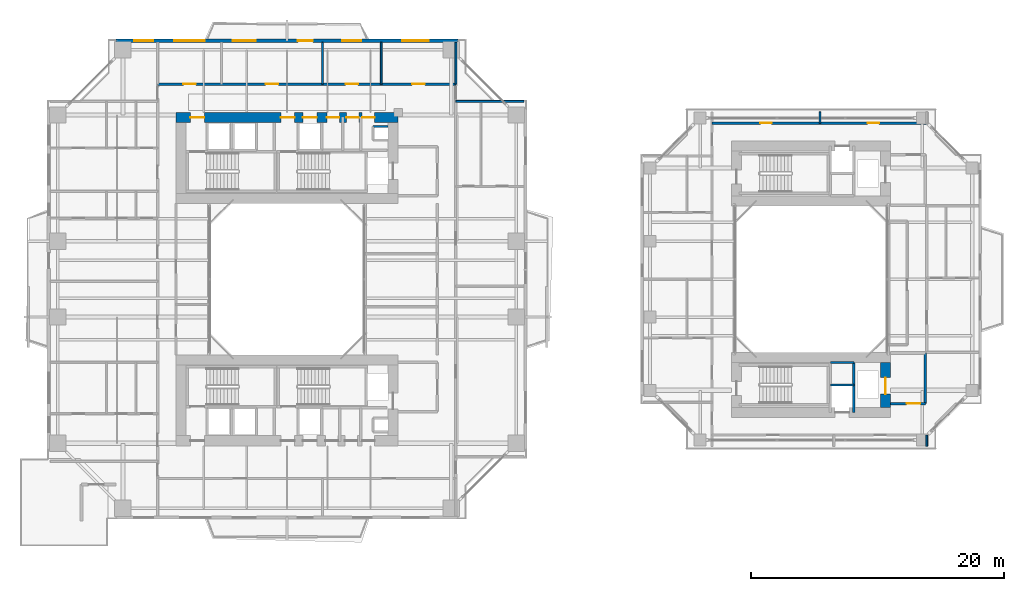
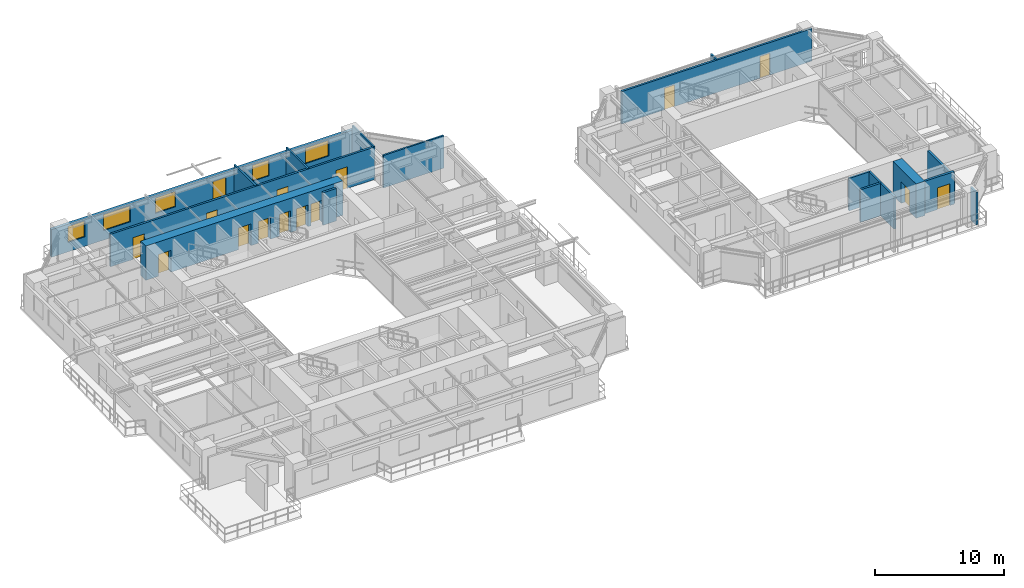
# One storey, part 17 of 24: 17 walls, 15 doors, 5 windows, 20 openings.
"""IFC4 building model written with IfcOpenShell, lengths in metres."""

from ifc_helpers import new_model, si_unit, direction, frame, frame_2d, origin, place, context, subcontext, project, spatial, rectangle, extrude, source, transform, mapped, material, layer, layer_set, type_object, element, fill, save


model = new_model("IFC4")

# Units and contexts
model_context = context("Model", 3, precision=1e-05, world=origin(), true_north=direction((0.0, 1.0)))
body_context = subcontext(model_context, "Body", "Model", "MODEL_VIEW")
ifc_project = project(units=[si_unit("LENGTHUNIT", "METRE"), si_unit("AREAUNIT", "SQUARE_METRE"), si_unit("VOLUMEUNIT", "CUBIC_METRE"), si_unit("PLANEANGLEUNIT", "RADIAN"), si_unit("MASSUNIT", "GRAM", prefix="KILO"), si_unit("THERMODYNAMICTEMPERATUREUNIT", "KELVIN"), si_unit("POWERUNIT", "WATT")], contexts=[model_context])

# Site, building, storey
site_placement = place(None, origin())
site = spatial("IfcSite", under=ifc_project, at=site_placement, CompositionType="ELEMENT")
building_placement = place(site_placement, origin())
building = spatial("IfcBuilding", under=site, at=building_placement, Name="Qiaomeng Ring Towers", CompositionType="ELEMENT")
storey_placement = place(building_placement, frame((0.0, 0.0, 63.25)))
storey = spatial("IfcBuildingStorey", under=building, at=storey_placement, Name="L17", CompositionType="ELEMENT", Elevation=63.25)

# Wall, openings, windows, door
ifc_material_1 = material(Name="Precast concrete C40", Category="concrete")
ifc_layer_1 = layer(ifc_material_1, 0.25, Name="Precast concrete C40")
ifc_layer_set_1 = layer_set([ifc_layer_1], Name="Precast concrete C40")
wall_type_1 = type_object("IfcWallType", Name="ARC-WL-EW1", PredefinedType="STANDARD", material=ifc_layer_set_1)
wall_1_placement = place(storey_placement, frame((5.449951171875, 41.875, 0.0), z_axis=(0.0, 0.0, 1.0), x_axis=(1.0, 0.0, 0.0)))
wall_1 = element("IfcWall", 1, at=wall_1_placement, inside=storey, type_object=wall_type_1, Name="L17 Tower 1 N Exterior Wall", PredefinedType="STANDARD", context=body_context, shape_type="SweptSolid", body=[
    extrude(rectangle(XDim=27.10009765625, YDim=0.25, at=frame_2d((13.550048828125, 0.0))), origin(), (0.0, 0.0, 1.0), 2.610107421875),
])
opening_1_placement = place(wall_1_placement, frame((14.39990234375, 0.0, 0.0)))
opening_1 = element("IfcOpeningElement", 2, at=opening_1_placement, cuts=wall_1, Name="Opening BD1", PredefinedType="OPENING", context=body_context, shape_type="SweptSolid", body=[
    extrude(rectangle(XDim=1.199951171875, YDim=2.10009765625, at=frame_2d((0.60009765625, 1.050048828125))), frame((0.0, 0.135009765625, 0.0), z_axis=(0.0, -1.0, 0.0), x_axis=(1.0, 0.0, 0.0)), (0.0, 0.0, 1.0), 0.27001953125),
])
opening_2_placement = place(wall_1_placement, frame((1.465087890625, 0.0, 0.89990234375)))
opening_2 = element("IfcOpeningElement", 3, at=opening_2_placement, cuts=wall_1, Name="Opening WN2", PredefinedType="OPENING", context=body_context, shape_type="SweptSolid", body=[
    extrude(rectangle(XDim=1.5, YDim=1.5, at=frame_2d((0.75, 0.75))), frame((0.0, 0.135009765625, 0.0), z_axis=(0.0, -1.0, 0.0), x_axis=(1.0, 0.0, 0.0)), (0.0, 0.0, 1.0), 0.27001953125),
])
opening_3_placement = place(wall_1_placement, frame((9.262939453125, 0.0, 0.89990234375)))
opening_3 = element("IfcOpeningElement", 4, at=opening_3_placement, cuts=wall_1, Name="Opening WN1", PredefinedType="OPENING", context=body_context, shape_type="SweptSolid", body=[
    extrude(rectangle(XDim=1.800048828125, YDim=1.449951171875, at=frame_2d((0.89990234375, 0.72509765625))), frame((0.0, 0.135009765625, 0.0), z_axis=(0.0, -1.0, 0.0), x_axis=(1.0, 0.0, 0.0)), (0.0, 0.0, 1.0), 0.27001953125),
])
opening_4_placement = place(wall_1_placement, frame((17.929931640625, 0.0, 0.89990234375)))
opening_4 = element("IfcOpeningElement", 5, at=opening_4_placement, cuts=wall_1, Name="Opening WN2", PredefinedType="OPENING", context=body_context, shape_type="SweptSolid", body=[
    extrude(rectangle(XDim=1.5, YDim=1.5, at=frame_2d((0.75, 0.75))), frame((0.0, 0.135009765625, 0.0), z_axis=(0.0, -1.0, 0.0), x_axis=(1.0, 0.0, 0.0)), (0.0, 0.0, 1.0), 0.27001953125),
])
opening_5_placement = place(wall_1_placement, frame((22.6630859375, 0.0, 0.89990234375)))
opening_5 = element("IfcOpeningElement", 6, at=opening_5_placement, cuts=wall_1, Name="Opening WN4", PredefinedType="OPENING", context=body_context, shape_type="SweptSolid", body=[
    extrude(rectangle(XDim=2.10009765625, YDim=1.47998046875, at=frame_2d((1.050048828125, 0.739990234375))), frame((0.0, 0.135009765625, 0.0), z_axis=(0.0, -1.0, 0.0), x_axis=(1.0, 0.0, 0.0)), (0.0, 0.0, 1.0), 0.27001953125),
])
opening_6_placement = place(wall_1_placement, frame((4.6298828125, 0.0, 0.89990234375)))
opening_6 = element("IfcOpeningElement", 7, at=opening_6_placement, cuts=wall_1, Name="Opening WN6", PredefinedType="OPENING", context=body_context, shape_type="SweptSolid", body=[
    extrude(rectangle(XDim=2.39990234375, YDim=1.5, at=frame_2d((1.199951171875, 0.75))), frame((0.0, 0.135009765625, 0.0), z_axis=(0.0, -1.0, 0.0), x_axis=(1.0, 0.0, 0.0)), (0.0, 0.0, 1.0), 0.27001953125),
])
ifc_material_2 = material(Name="Low-E dark-grey laminated double glazing", Category="glass")
window_type_1 = type_object("IfcWindowType", Name="ARC-WN-4", PartitioningType="TRIPLE_PANEL_VERTICAL", PredefinedType="WINDOW", material=ifc_material_2)
shared_shape_1 = source(origin(), body_context, "Body", "SweptSolid", [
    extrude(rectangle(XDim=2.10009765625, YDim=1.47998046875, at=frame_2d((1.050048828125, 0.739990234375))), frame((0.0, 0.030029296875, 0.0), z_axis=(0.0, -1.0, 0.0), x_axis=(1.0, 0.0, 0.0)), (0.0, 0.0, 1.0), 0.06005859375),
])
window_1_placement = place(opening_5_placement, origin())
window_1 = element("IfcWindow", 8, at=window_1_placement, inside=storey, type_object=window_type_1, Name="L17 Exterior Window WN4", OverallHeight=1.47998046875, OverallWidth=2.10009765625, PartitioningType="TRIPLE_PANEL_VERTICAL", PredefinedType="WINDOW", context=body_context, shape_type="MappedRepresentation", body=[
    mapped(shared_shape_1, transform((0.0, 0.0, 0.0), x_axis=(1.0, 0.0, 0.0), y_axis=(0.0, 1.0, 0.0), z_axis=(0.0, 0.0, 1.0), scale=1.0)),
])
fill(opening_5, window_1)
window_type_2 = type_object("IfcWindowType", Name="ARC-WN-1", PartitioningType="DOUBLE_PANEL_VERTICAL", PredefinedType="WINDOW", material=ifc_material_2)
shared_shape_2 = source(origin(), body_context, "Body", "SweptSolid", [
    extrude(rectangle(XDim=1.800048828125, YDim=1.449951171875, at=frame_2d((0.89990234375, 0.72509765625))), frame((0.0, 0.030029296875, 0.0), z_axis=(0.0, -1.0, 0.0), x_axis=(1.0, 0.0, 0.0)), (0.0, 0.0, 1.0), 0.06005859375),
])
window_2_placement = place(opening_3_placement, origin())
window_2 = element("IfcWindow", 9, at=window_2_placement, inside=storey, type_object=window_type_2, Name="L17 Exterior Window WN1", OverallHeight=1.449951171875, OverallWidth=1.800048828125, PartitioningType="DOUBLE_PANEL_VERTICAL", PredefinedType="WINDOW", context=body_context, shape_type="MappedRepresentation", body=[
    mapped(shared_shape_2, transform((0.0, 0.0, 0.0), x_axis=(1.0, 0.0, 0.0), y_axis=(0.0, 1.0, 0.0), z_axis=(0.0, 0.0, 1.0), scale=1.0)),
])
fill(opening_3, window_2)
door_type_1 = type_object("IfcDoorType", Name="ARC-DR-BD1", OperationType="NOTDEFINED", PredefinedType="DOOR", material=ifc_material_2)
shared_shape_3 = source(origin(), body_context, "Body", "SweptSolid", [
    extrude(rectangle(XDim=1.199951171875, YDim=2.10009765625, at=frame_2d((0.60009765625, 1.050048828125))), frame((0.0, 0.02490234375, 0.0), z_axis=(0.0, -1.0, 0.0), x_axis=(1.0, 0.0, 0.0)), (0.0, 0.0, 1.0), 0.050048828125),
])
door_1_placement = place(opening_1_placement, origin())
door_1 = element("IfcDoor", 10, at=door_1_placement, inside=storey, type_object=door_type_1, Name="L17 N Balcony Glazed Door", OperationType="SINGLE_SWING_LEFT", OverallHeight=2.10009765625, OverallWidth=1.199951171875, PredefinedType="DOOR", context=body_context, shape_type="MappedRepresentation", body=[
    mapped(shared_shape_3, transform((0.0, 0.0, 0.0), x_axis=(1.0, 0.0, 0.0), y_axis=(0.0, 1.0, 0.0), z_axis=(0.0, 0.0, 1.0), scale=1.0)),
])
fill(opening_1, door_1)
window_type_3 = type_object("IfcWindowType", Name="ARC-WN-2", PartitioningType="DOUBLE_PANEL_VERTICAL", PredefinedType="WINDOW", material=ifc_material_2)
shared_shape_4 = source(origin(), body_context, "Body", "SweptSolid", [
    extrude(rectangle(XDim=1.5, YDim=1.5, at=frame_2d((0.75, 0.75))), frame((0.0, 0.030029296875, 0.0), z_axis=(0.0, -1.0, 0.0), x_axis=(1.0, 0.0, 0.0)), (0.0, 0.0, 1.0), 0.06005859375),
])
window_3_placement = place(opening_2_placement, origin())
window_3 = element("IfcWindow", 11, at=window_3_placement, inside=storey, type_object=window_type_3, Name="L17 Exterior Window WN6", OverallHeight=1.5, OverallWidth=1.5, PartitioningType="TRIPLE_PANEL_VERTICAL", PredefinedType="WINDOW", context=body_context, shape_type="MappedRepresentation", body=[
    mapped(shared_shape_4, transform((0.0, 0.0, 0.0), x_axis=(1.0, 0.0, 0.0), y_axis=(0.0, 1.0, 0.0), z_axis=(0.0, 0.0, 1.0), scale=1.0)),
])
fill(opening_2, window_3)
window_4_placement = place(opening_4_placement, origin())
window_4 = element("IfcWindow", 12, at=window_4_placement, inside=storey, type_object=window_type_3, Name="L17 Exterior Window WN2", OverallHeight=1.5, OverallWidth=1.5, PartitioningType="DOUBLE_PANEL_VERTICAL", PredefinedType="WINDOW", context=body_context, shape_type="MappedRepresentation", body=[
    mapped(shared_shape_4, transform((0.0, 0.0, 0.0), x_axis=(1.0, 0.0, 0.0), y_axis=(0.0, 1.0, 0.0), z_axis=(0.0, 0.0, 1.0), scale=1.0)),
])
fill(opening_4, window_4)
window_type_4 = type_object("IfcWindowType", Name="ARC-WN-6", PartitioningType="TRIPLE_PANEL_VERTICAL", PredefinedType="WINDOW", material=ifc_material_2)
shared_shape_5 = source(origin(), body_context, "Body", "SweptSolid", [
    extrude(rectangle(XDim=2.39990234375, YDim=1.5, at=frame_2d((1.199951171875, 0.75))), frame((0.0, 0.030029296875, 0.0), z_axis=(0.0, -1.0, 0.0), x_axis=(1.0, 0.0, 0.0)), (0.0, 0.0, 1.0), 0.06005859375),
])
window_5_placement = place(opening_6_placement, origin())
window_5 = element("IfcWindow", 13, at=window_5_placement, inside=storey, type_object=window_type_4, Name="L17 Exterior Window WN6", OverallHeight=1.5, OverallWidth=2.39990234375, PartitioningType="TRIPLE_PANEL_VERTICAL", PredefinedType="WINDOW", context=body_context, shape_type="MappedRepresentation", body=[
    mapped(shared_shape_5, transform((0.0, 0.0, 0.0), x_axis=(1.0, 0.0, 0.0), y_axis=(0.0, 1.0, 0.0), z_axis=(0.0, 0.0, 1.0), scale=1.0)),
])
fill(opening_6, window_5)

# Wall
ifc_material_3 = material(Name="Autoclaved aerated concrete block", Category="concrete")
ifc_layer_2 = layer(ifc_material_3, 0.199951171875, Name="Autoclaved aerated concrete block")
ifc_layer_set_2 = layer_set([ifc_layer_2], Name="Autoclaved aerated concrete block")
wall_type_2 = type_object("IfcWallType", Name="ARC-WL-PW1", PredefinedType="PARTITIONING", material=ifc_layer_set_2)
wall_2_placement = place(storey_placement, frame((69.550048828125, 13.14990234375, 0.0), z_axis=(0.0, 0.0, 1.0), x_axis=(0.0, 1.0, 0.0)))
element("IfcWall", 14, at=wall_2_placement, inside=storey, type_object=wall_type_2, Name="L17 Interior Wall PW1", PredefinedType="PARTITIONING", context=body_context, shape_type="SweptSolid", body=[
    extrude(rectangle(XDim=4.0, YDim=0.199951171875, at=frame_2d((2.0, 0.0))), origin(), (0.0, 0.0, 1.0), 2.614990234375),
])

# Wall, opening, door
wall_3_placement = place(storey_placement, frame((66.800048828125, 13.14990234375, 0.0), z_axis=(0.0, 0.0, 1.0), x_axis=(1.0, 0.0, 0.0)))
wall_3 = element("IfcWall", 15, at=wall_3_placement, inside=storey, type_object=wall_type_2, Name="L17 Interior Wall PW1", PredefinedType="PARTITIONING", context=body_context, shape_type="SweptSolid", body=[
    extrude(rectangle(XDim=2.75, YDim=0.199951171875, at=frame_2d((1.375, 0.0))), origin(), (0.0, 0.0, 1.0), 3.070068359375),
])
opening_7_placement = place(wall_3_placement, frame((1.25, 0.0, 0.0)))
opening_7 = element("IfcOpeningElement", 16, at=opening_7_placement, cuts=wall_3, Name="Opening FD3", PredefinedType="OPENING", context=body_context, shape_type="SweptSolid", body=[
    extrude(rectangle(XDim=1.10009765625, YDim=2.050048828125, at=frame_2d((0.550048828125, 1.02490234375))), frame((0.0, 0.10986328125, 0.0), z_axis=(0.0, -1.0, 0.0), x_axis=(1.0, 0.0, 0.0)), (0.0, 0.0, 1.0), 0.219970703125),
])
ifc_material_4 = material(Name="Galvanised steel", Category="steel")
door_type_2 = type_object("IfcDoorType", Name="ARC-DR-FD3", OperationType="NOTDEFINED", PredefinedType="DOOR", material=ifc_material_4)
shared_shape_6 = source(origin(), body_context, "Body", "SweptSolid", [
    extrude(rectangle(XDim=1.10009765625, YDim=2.050048828125, at=frame_2d((0.550048828125, 1.02490234375))), frame((0.0, 0.02490234375, 0.0), z_axis=(0.0, -1.0, 0.0), x_axis=(1.0, 0.0, 0.0)), (0.0, 0.0, 1.0), 0.050048828125),
])
door_2_placement = place(opening_7_placement, origin())
door_2 = element("IfcDoor", 17, at=door_2_placement, inside=storey, type_object=door_type_2, Name="L17 Door FD3", OperationType="SINGLE_SWING_LEFT", OverallHeight=2.050048828125, OverallWidth=1.10009765625, PredefinedType="DOOR", context=body_context, shape_type="MappedRepresentation", body=[
    mapped(shared_shape_6, transform((0.0, 0.0, 0.0), x_axis=(1.0, 0.0, 0.0), y_axis=(0.0, 1.0, 0.0), z_axis=(0.0, 0.0, 1.0), scale=1.0)),
])
fill(opening_7, door_2)

# Wall, openings, doors
ifc_layer_3 = layer(ifc_material_3, 0.179931640625, Name="Autoclaved aerated concrete block")
ifc_layer_set_3 = layer_set([ifc_layer_3], Name="Autoclaved aerated concrete block")
wall_type_3 = type_object("IfcWallType", Name="ARC-WL-PW2", PredefinedType="PARTITIONING", material=ifc_layer_set_3)
wall_4_placement = place(storey_placement, frame((8.75, 38.43994140625, 0.0), z_axis=(0.0, 0.0, 1.0), x_axis=(1.0, 0.0, 0.0)))
wall_4 = element("IfcWall", 18, at=wall_4_placement, inside=storey, type_object=wall_type_3, Name="L17 Interior Wall PW2", PredefinedType="PARTITIONING", context=body_context, shape_type="SweptSolid", body=[
    extrude(rectangle(XDim=23.610107421875, YDim=0.179931640625, at=frame_2d((11.80517578125, 0.0))), origin(), (0.0, 0.0, 1.0), 3.070068359375),
])
opening_8_placement = place(wall_4_placement, frame((2.030029296875, 0.0, 0.0)))
opening_8 = element("IfcOpeningElement", 19, at=opening_8_placement, cuts=wall_4, Name="Opening FD4", PredefinedType="OPENING", context=body_context, shape_type="SweptSolid", body=[
    extrude(rectangle(XDim=1.0, YDim=2.050048828125, at=frame_2d((0.5, 1.02490234375))), frame((0.0, 0.099853515625, 0.0), z_axis=(0.0, -1.0, 0.0), x_axis=(1.0, 0.0, 0.0)), (0.0, 0.0, 1.0), 0.199951171875),
])
opening_9_placement = place(wall_4_placement, frame((8.554931640625, 0.0, 0.0)))
opening_9 = element("IfcOpeningElement", 20, at=opening_9_placement, cuts=wall_4, Name="Opening FD4", PredefinedType="OPENING", context=body_context, shape_type="SweptSolid", body=[
    extrude(rectangle(XDim=1.0, YDim=2.050048828125, at=frame_2d((0.5, 1.02490234375))), frame((0.0, 0.099853515625, 0.0), z_axis=(0.0, -1.0, 0.0), x_axis=(1.0, 0.0, 0.0)), (0.0, 0.0, 1.0), 0.199951171875),
])
opening_10_placement = place(wall_4_placement, frame((14.8798828125, 0.0, 0.0)))
opening_10 = element("IfcOpeningElement", 21, at=opening_10_placement, cuts=wall_4, Name="Opening FD4", PredefinedType="OPENING", context=body_context, shape_type="SweptSolid", body=[
    extrude(rectangle(XDim=1.0, YDim=2.050048828125, at=frame_2d((0.5, 1.02490234375))), frame((0.0, 0.099853515625, 0.0), z_axis=(0.0, -1.0, 0.0), x_axis=(1.0, 0.0, 0.0)), (0.0, 0.0, 1.0), 0.199951171875),
])
opening_11_placement = place(wall_4_placement, frame((20.159912109375, 0.0, 0.0)))
opening_11 = element("IfcOpeningElement", 22, at=opening_11_placement, cuts=wall_4, Name="Opening FD4", PredefinedType="OPENING", context=body_context, shape_type="SweptSolid", body=[
    extrude(rectangle(XDim=1.0, YDim=2.050048828125, at=frame_2d((0.5, 1.02490234375))), frame((0.0, 0.099853515625, 0.0), z_axis=(0.0, -1.0, 0.0), x_axis=(1.0, 0.0, 0.0)), (0.0, 0.0, 1.0), 0.199951171875),
])
ifc_material_5 = material(Name="Engineered fire-rated oak timber", Category="wood")
door_type_3 = type_object("IfcDoorType", Name="ARC-DR-FD4", OperationType="NOTDEFINED", PredefinedType="DOOR", material=ifc_material_5)
shared_shape_7 = source(origin(), body_context, "Body", "SweptSolid", [
    extrude(rectangle(XDim=1.0, YDim=2.050048828125, at=frame_2d((0.5, 1.02490234375))), frame((0.0, 0.02490234375, 0.0), z_axis=(0.0, -1.0, 0.0), x_axis=(1.0, 0.0, 0.0)), (0.0, 0.0, 1.0), 0.050048828125),
])
door_3_placement = place(opening_8_placement, origin())
door_3 = element("IfcDoor", 23, at=door_3_placement, inside=storey, type_object=door_type_3, Name="L17 Door FD4", OperationType="SINGLE_SWING_LEFT", OverallHeight=2.050048828125, OverallWidth=1.0, PredefinedType="DOOR", context=body_context, shape_type="MappedRepresentation", body=[
    mapped(shared_shape_7, transform((0.0, 0.0, 0.0), x_axis=(1.0, 0.0, 0.0), y_axis=(0.0, 1.0, 0.0), z_axis=(0.0, 0.0, 1.0), scale=1.0)),
])
fill(opening_8, door_3)
door_4_placement = place(opening_9_placement, origin())
door_4 = element("IfcDoor", 24, at=door_4_placement, inside=storey, type_object=door_type_3, Name="L17 Door FD4", OperationType="SINGLE_SWING_RIGHT", OverallHeight=2.050048828125, OverallWidth=1.0, PredefinedType="DOOR", context=body_context, shape_type="MappedRepresentation", body=[
    mapped(shared_shape_7, transform((0.0, 0.0, 0.0), x_axis=(1.0, 0.0, 0.0), y_axis=(0.0, 1.0, 0.0), z_axis=(0.0, 0.0, 1.0), scale=1.0)),
])
fill(opening_9, door_4)
door_5_placement = place(opening_10_placement, origin())
door_5 = element("IfcDoor", 25, at=door_5_placement, inside=storey, type_object=door_type_3, Name="L17 Door FD4", OperationType="SINGLE_SWING_LEFT", OverallHeight=2.050048828125, OverallWidth=1.0, PredefinedType="DOOR", context=body_context, shape_type="MappedRepresentation", body=[
    mapped(shared_shape_7, transform((0.0, 0.0, 0.0), x_axis=(1.0, 0.0, 0.0), y_axis=(0.0, 1.0, 0.0), z_axis=(0.0, 0.0, 1.0), scale=1.0)),
])
fill(opening_10, door_5)
door_6_placement = place(opening_11_placement, origin())
door_6 = element("IfcDoor", 26, at=door_6_placement, inside=storey, type_object=door_type_3, Name="L17 Door FD4", OperationType="SINGLE_SWING_RIGHT", OverallHeight=2.050048828125, OverallWidth=1.0, PredefinedType="DOOR", context=body_context, shape_type="MappedRepresentation", body=[
    mapped(shared_shape_7, transform((0.0, 0.0, 0.0), x_axis=(1.0, 0.0, 0.0), y_axis=(0.0, 1.0, 0.0), z_axis=(0.0, 0.0, 1.0), scale=1.0)),
])
fill(opening_11, door_6)

wall_5_placement = place(storey_placement, frame((52.64990234375, 35.35009765625, 0.0), z_axis=(0.0, 0.0, 1.0), x_axis=(1.0, 0.0, 0.0)))
wall_5 = element("IfcWall", 27, at=wall_5_placement, inside=storey, type_object=wall_type_3, Name="L17 Interior Wall PW2", PredefinedType="PARTITIONING", context=body_context, shape_type="SweptSolid", body=[
    extrude(rectangle(XDim=17.0, YDim=0.179931640625, at=frame_2d((8.5, 0.0))), origin(), (0.0, 0.0, 1.0), 3.070068359375),
])
opening_12_placement = place(wall_5_placement, frame((3.824951171875, 0.0, 0.0)))
opening_12 = element("IfcOpeningElement", 28, at=opening_12_placement, cuts=wall_5, Name="Opening ID1", PredefinedType="OPENING", context=body_context, shape_type="SweptSolid", body=[
    extrude(rectangle(XDim=0.89990234375, YDim=2.050048828125, at=frame_2d((0.449951171875, 1.02490234375))), frame((0.0, 0.099853515625, 0.0), z_axis=(0.0, -1.0, 0.0), x_axis=(1.0, 0.0, 0.0)), (0.0, 0.0, 1.0), 0.199951171875),
])
opening_13_placement = place(wall_5_placement, frame((12.324951171875, 0.0, 0.0)))
opening_13 = element("IfcOpeningElement", 29, at=opening_13_placement, cuts=wall_5, Name="Opening ID1", PredefinedType="OPENING", context=body_context, shape_type="SweptSolid", body=[
    extrude(rectangle(XDim=0.89990234375, YDim=2.050048828125, at=frame_2d((0.449951171875, 1.02490234375))), frame((0.0, 0.099853515625, 0.0), z_axis=(0.0, -1.0, 0.0), x_axis=(1.0, 0.0, 0.0)), (0.0, 0.0, 1.0), 0.199951171875),
])
ifc_material_6 = material(Name="Engineered oak timber", Category="wood")
door_type_4 = type_object("IfcDoorType", Name="ARC-DR-ID1", OperationType="NOTDEFINED", PredefinedType="DOOR", material=ifc_material_6)
shared_shape_8 = source(origin(), body_context, "Body", "SweptSolid", [
    extrude(rectangle(XDim=0.89990234375, YDim=2.050048828125, at=frame_2d((0.449951171875, 1.02490234375))), frame((0.0, 0.02490234375, 0.0), z_axis=(0.0, -1.0, 0.0), x_axis=(1.0, 0.0, 0.0)), (0.0, 0.0, 1.0), 0.050048828125),
])
door_7_placement = place(opening_12_placement, origin())
door_7 = element("IfcDoor", 30, at=door_7_placement, inside=storey, type_object=door_type_4, Name="L17 Door ID1", OperationType="SINGLE_SWING_LEFT", OverallHeight=2.050048828125, OverallWidth=0.89990234375, PredefinedType="DOOR", context=body_context, shape_type="MappedRepresentation", body=[
    mapped(shared_shape_8, transform((0.0, 0.0, 0.0), x_axis=(1.0, 0.0, 0.0), y_axis=(0.0, 1.0, 0.0), z_axis=(0.0, 0.0, 1.0), scale=1.0)),
])
fill(opening_12, door_7)
door_8_placement = place(opening_13_placement, origin())
door_8 = element("IfcDoor", 31, at=door_8_placement, inside=storey, type_object=door_type_4, Name="L17 Door ID1", OperationType="SINGLE_SWING_RIGHT", OverallHeight=2.050048828125, OverallWidth=0.89990234375, PredefinedType="DOOR", context=body_context, shape_type="MappedRepresentation", body=[
    mapped(shared_shape_8, transform((0.0, 0.0, 0.0), x_axis=(1.0, 0.0, 0.0), y_axis=(0.0, 1.0, 0.0), z_axis=(0.0, 0.0, 1.0), scale=1.0)),
])
fill(opening_13, door_8)

# Walls
ifc_material_7 = material(Name="Gypsum fireboard steel-stud partition", Category="steel")
ifc_layer_4 = layer(ifc_material_7, 0.14990234375, Name="Gypsum fireboard steel-stud partition")
ifc_layer_set_4 = layer_set([ifc_layer_4], Name="Gypsum fireboard steel-stud partition")
wall_type_4 = type_object("IfcWallType", Name="ARC-WL-PW3", PredefinedType="PARTITIONING", material=ifc_layer_set_4)
for number, where, z_axis, x_axis, name in (
    (32, (21.800048828125, 38.43994140625, 0.0), (0.0, 0.0, 1.0), (0.0, 1.0, 0.0), "L17 Interior Wall PW3"),
    (33, (26.4599609375, 38.43994140625, 0.0), (0.0, 0.0, 1.0), (0.0, 1.0, 0.0), "L17 Interior Wall PW3"),
    (34, (32.360107421875, 38.43994140625, 0.0), (0.0, 0.0, 1.0), (0.0, 1.0, 0.0), "L17 Interior Wall PW3"),
):
    element("IfcWall", number, at=place(storey_placement, frame(where, z_axis=z_axis, x_axis=x_axis)), inside=storey, type_object=wall_type_4, Name=name, PredefinedType="PARTITIONING", context=body_context, shape_type="SweptSolid", body=[
        extrude(rectangle(XDim=3.31005859375, YDim=0.14990234375, at=frame_2d((1.655029296875, 0.0))), origin(), (0.0, 0.0, 1.0), 3.070068359375),
    ])
wall_6_placement = place(storey_placement, frame((32.360107421875, 37.080078125, 0.0), z_axis=(0.0, 0.0, 1.0), x_axis=(1.0, 0.0, 0.0)))
element("IfcWall", 35, at=wall_6_placement, inside=storey, type_object=wall_type_4, Name="L17 Interior Wall PW3", PredefinedType="PARTITIONING", context=body_context, shape_type="SweptSolid", body=[
    extrude(rectangle(XDim=5.389892578125, YDim=0.14990234375, at=frame_2d((2.69482421875, 0.0))), origin(), (0.0, 0.0, 1.0), 3.070068359375),
])
for number, where, z_axis, x_axis, name in (
    (36, (61.199951171875, 35.35009765625, 0.0), (0.0, 0.0, 1.0), (0.0, 1.0, 0.0), "L17 Interior Wall PW3"),
    (37, (69.64990234375, 9.75, 0.0), (0.0, 0.0, 1.0), (0.0, 1.0, 0.0), "L17 Interior Wall PW3"),
):
    element("IfcWall", number, at=place(storey_placement, frame(where, z_axis=z_axis, x_axis=x_axis)), inside=storey, type_object=wall_type_4, Name=name, PredefinedType="PARTITIONING", context=body_context, shape_type="SweptSolid", body=[
        extrude(rectangle(XDim=0.89990234375, YDim=0.14990234375, at=frame_2d((0.449951171875, 0.0))), origin(), (0.0, 0.0, 1.0), 3.070068359375),
    ])
ifc_material_8 = material(Name="Concrete C40", Category="concrete")
ifc_layer_5 = layer(ifc_material_8, 0.199951171875, Name="Concrete C40")
ifc_layer_set_5 = layer_set([ifc_layer_5], Name="Concrete C40")
wall_type_5 = type_object("IfcWallType", Name="STR-WL-STSHAFT", PredefinedType="SHEAR", material=ifc_layer_set_5)
wall_7_placement = place(storey_placement, frame((25.800048828125, 35.080078125, 0.0), z_axis=(0.0, 0.0, 1.0), x_axis=(1.0, 0.0, 0.0)))
element("IfcWall", 38, at=wall_7_placement, inside=storey, type_object=wall_type_5, Name="L17 Riser RSR1 North Shaft Wall N", PredefinedType="SHEAR", context=body_context, shape_type="SweptSolid", body=[
    extrude(rectangle(XDim=1.199951171875, YDim=0.179931640625, at=frame_2d((0.60009765625, 0.0))), origin(), (0.0, 0.0, 1.0), 3.070068359375),
])
wall_8_placement = place(storey_placement, frame((63.8798828125, 12.449951171875, 0.0), z_axis=(0.0, 0.0, 1.0), x_axis=(0.0, 1.0, 0.0)))
element("IfcWall", 39, at=wall_8_placement, inside=storey, type_object=wall_type_5, Name="L17 Companion Lift Shaft East Wall S", PredefinedType="SHEAR", context=body_context, shape_type="SweptSolid", body=[
    extrude(rectangle(XDim=3.949951171875, YDim=0.179931640625, at=frame_2d((1.97509765625, 0.0))), origin(), (0.0, 0.0, 1.0), 3.070068359375),
])
for number, where, z_axis, x_axis, name in (
    (40, (62.02001953125, 14.6201171875, 0.0), (0.0, 0.0, 1.0), (1.0, 0.0, 0.0), "L17 Companion Lift Shaft Divider Wall S"),
    (41, (62.02001953125, 16.39990234375, 0.0), (0.0, 0.0, 1.0), (1.0, 0.0, 0.0), "L17 Companion Riser Shaft Back Wall S"),
):
    element("IfcWall", number, at=place(storey_placement, frame(where, z_axis=z_axis, x_axis=x_axis)), inside=storey, type_object=wall_type_5, Name=name, PredefinedType="SHEAR", context=body_context, shape_type="SweptSolid", body=[
        extrude(rectangle(XDim=1.85986328125, YDim=0.179931640625, at=frame_2d((0.929931640625, 0.0))), origin(), (0.0, 0.0, 1.0), 3.070068359375),
    ])

# Wall, openings, doors
ifc_material_9 = material(Name="Concrete C60", Category="concrete")
ifc_layer_6 = layer(ifc_material_9, 0.800048828125, Name="Concrete C60")
ifc_layer_set_6 = layer_set([ifc_layer_6], Name="Concrete C60")
wall_type_6 = type_object("IfcWallType", Name="STR-WL-SW1", PredefinedType="SHEAR", material=ifc_layer_set_6)
wall_9_placement = place(storey_placement, frame((10.199951171875, 35.800048828125, 0.0), z_axis=(0.0, 0.0, 1.0), x_axis=(1.0, 0.0, 0.0)))
wall_9 = element("IfcWall", 42, at=wall_9_placement, inside=storey, type_object=wall_type_6, Name="L17 T1NC north core shear wall", PredefinedType="SHEAR", context=body_context, shape_type="SweptSolid", body=[
    extrude(rectangle(XDim=17.60009765625, YDim=0.800048828125, at=frame_2d((8.800048828125, 0.0))), origin(), (0.0, 0.0, 1.0), 3.25),
])
opening_14_placement = place(wall_9_placement, frame((1.14990234375, 0.0, 0.0)))
opening_14 = element("IfcOpeningElement", 43, at=opening_14_placement, cuts=wall_9, Name="Opening FD3", PredefinedType="OPENING", context=body_context, shape_type="SweptSolid", body=[
    extrude(rectangle(XDim=1.10009765625, YDim=2.050048828125, at=frame_2d((0.550048828125, 1.02490234375))), frame((0.0, 0.409912109375, 0.0), z_axis=(0.0, -1.0, 0.0), x_axis=(1.0, 0.0, 0.0)), (0.0, 0.0, 1.0), 0.820068359375),
])
opening_15_placement = place(wall_9_placement, frame((8.300048828125, 0.0, 0.0)))
opening_15 = element("IfcOpeningElement", 44, at=opening_15_placement, cuts=wall_9, Name="Opening FD3", PredefinedType="OPENING", context=body_context, shape_type="SweptSolid", body=[
    extrude(rectangle(XDim=1.10009765625, YDim=2.050048828125, at=frame_2d((0.550048828125, 1.02490234375))), frame((0.0, 0.409912109375, 0.0), z_axis=(0.0, -1.0, 0.0), x_axis=(1.0, 0.0, 0.0)), (0.0, 0.0, 1.0), 0.820068359375),
])
opening_16_placement = place(wall_9_placement, frame((10.050048828125, 0.0, 0.0)))
opening_16 = element("IfcOpeningElement", 45, at=opening_16_placement, cuts=wall_9, Name="Opening LD1", PredefinedType="OPENING", context=body_context, shape_type="SweptSolid", body=[
    extrude(rectangle(XDim=1.10009765625, YDim=2.050048828125, at=frame_2d((0.550048828125, 1.02490234375))), frame((0.0, 0.409912109375, 0.0), z_axis=(0.0, -1.0, 0.0), x_axis=(1.0, 0.0, 0.0)), (0.0, 0.0, 1.0), 0.820068359375),
])
opening_17_placement = place(wall_9_placement, frame((14.739990234375, 0.0, 0.0)))
opening_17 = element("IfcOpeningElement", 46, at=opening_17_placement, cuts=wall_9, Name="Opening FD1", PredefinedType="OPENING", context=body_context, shape_type="SweptSolid", body=[
    extrude(rectangle(XDim=1.0, YDim=2.050048828125, at=frame_2d((0.5, 1.02490234375))), frame((0.0, 0.409912109375, 0.0), z_axis=(0.0, -1.0, 0.0), x_axis=(1.0, 0.0, 0.0)), (0.0, 0.0, 1.0), 0.820068359375),
])
opening_18_placement = place(wall_9_placement, frame((11.949951171875, 0.0, 0.0)))
opening_18 = element("IfcOpeningElement", 47, at=opening_18_placement, cuts=wall_9, Name="Opening FD1", PredefinedType="OPENING", context=body_context, shape_type="SweptSolid", body=[
    extrude(rectangle(XDim=1.0, YDim=2.050048828125, at=frame_2d((0.5, 1.02490234375))), frame((0.0, 0.409912109375, 0.0), z_axis=(0.0, -1.0, 0.0), x_axis=(1.0, 0.0, 0.0)), (0.0, 0.0, 1.0), 0.820068359375),
])
opening_19_placement = place(wall_9_placement, frame((13.485107421875, 0.0, 0.0)))
opening_19 = element("IfcOpeningElement", 48, at=opening_19_placement, cuts=wall_9, Name="Opening FD1", PredefinedType="OPENING", context=body_context, shape_type="SweptSolid", body=[
    extrude(rectangle(XDim=1.0, YDim=2.050048828125, at=frame_2d((0.5, 1.02490234375))), frame((0.0, 0.409912109375, 0.0), z_axis=(0.0, -1.0, 0.0), x_axis=(1.0, 0.0, 0.0)), (0.0, 0.0, 1.0), 0.820068359375),
])
door_9_placement = place(opening_14_placement, origin())
door_9 = element("IfcDoor", 49, at=door_9_placement, inside=storey, type_object=door_type_2, Name="L17 Stair ST1 Lobby Door", OperationType="SINGLE_SWING_LEFT", OverallHeight=2.050048828125, OverallWidth=1.10009765625, PredefinedType="DOOR", context=body_context, shape_type="MappedRepresentation", body=[
    mapped(shared_shape_6, transform((0.0, 0.0, 0.0), x_axis=(1.0, 0.0, 0.0), y_axis=(0.0, 1.0, 0.0), z_axis=(0.0, 0.0, 1.0), scale=1.0)),
])
fill(opening_14, door_9)
door_10_placement = place(opening_15_placement, origin())
door_10 = element("IfcDoor", 50, at=door_10_placement, inside=storey, type_object=door_type_2, Name="L17 Stair ST2 Lobby Door", OperationType="SINGLE_SWING_LEFT", OverallHeight=2.050048828125, OverallWidth=1.10009765625, PredefinedType="DOOR", context=body_context, shape_type="MappedRepresentation", body=[
    mapped(shared_shape_6, transform((0.0, 0.0, 0.0), x_axis=(1.0, 0.0, 0.0), y_axis=(0.0, 1.0, 0.0), z_axis=(0.0, 0.0, 1.0), scale=1.0)),
])
fill(opening_15, door_10)
ifc_material_10 = material(Name="Stainless steel 316", Category="steel")
door_type_5 = type_object("IfcDoorType", Name="ARC-DR-LD1", OperationType="NOTDEFINED", PredefinedType="DOOR", material=ifc_material_10)
door_11_placement = place(opening_16_placement, origin())
door_11 = element("IfcDoor", 51, at=door_11_placement, inside=storey, type_object=door_type_5, Name="L17 Low-Zone Lift LP1 Landing Door", OperationType="SLIDING_TO_LEFT", OverallHeight=2.050048828125, OverallWidth=1.10009765625, PredefinedType="DOOR", context=body_context, shape_type="MappedRepresentation", body=[
    mapped(shared_shape_6, transform((0.0, 0.0, 0.0), x_axis=(1.0, 0.0, 0.0), y_axis=(0.0, 1.0, 0.0), z_axis=(0.0, 0.0, 1.0), scale=1.0)),
])
fill(opening_16, door_11)
door_type_6 = type_object("IfcDoorType", Name="ARC-DR-FD1", OperationType="NOTDEFINED", PredefinedType="DOOR", material=ifc_material_4)
door_12_placement = place(opening_17_placement, origin())
door_12 = element("IfcDoor", 52, at=door_12_placement, inside=storey, type_object=door_type_6, Name="L17 North Electrical Riser Door", OperationType="SINGLE_SWING_LEFT", OverallHeight=2.050048828125, OverallWidth=1.0, PredefinedType="DOOR", context=body_context, shape_type="MappedRepresentation", body=[
    mapped(shared_shape_7, transform((0.0, 0.0, 0.0), x_axis=(1.0, 0.0, 0.0), y_axis=(0.0, 1.0, 0.0), z_axis=(0.0, 0.0, 1.0), scale=1.0)),
])
fill(opening_17, door_12)
door_13_placement = place(opening_18_placement, origin())
door_13 = element("IfcDoor", 53, at=door_13_placement, inside=storey, type_object=door_type_6, Name="L17 North Tea Pantry Door", OperationType="SINGLE_SWING_LEFT", OverallHeight=2.050048828125, OverallWidth=1.0, PredefinedType="DOOR", context=body_context, shape_type="MappedRepresentation", body=[
    mapped(shared_shape_7, transform((0.0, 0.0, 0.0), x_axis=(1.0, 0.0, 0.0), y_axis=(0.0, 1.0, 0.0), z_axis=(0.0, 0.0, 1.0), scale=1.0)),
])
fill(opening_18, door_13)
door_14_placement = place(opening_19_placement, origin())
door_14 = element("IfcDoor", 54, at=door_14_placement, inside=storey, type_object=door_type_6, Name="L17 North Cleaners Cupboard Door", OperationType="SINGLE_SWING_RIGHT", OverallHeight=2.050048828125, OverallWidth=1.0, PredefinedType="DOOR", context=body_context, shape_type="MappedRepresentation", body=[
    mapped(shared_shape_7, transform((0.0, 0.0, 0.0), x_axis=(1.0, 0.0, 0.0), y_axis=(0.0, 1.0, 0.0), z_axis=(0.0, 0.0, 1.0), scale=1.0)),
])
fill(opening_19, door_14)

# Wall, opening, door
wall_10_placement = place(storey_placement, frame((66.39990234375, 12.85009765625, 0.0), z_axis=(0.0, 0.0, 1.0), x_axis=(0.0, 1.0, 0.0)))
wall_10 = element("IfcWall", 55, at=wall_10_placement, inside=storey, type_object=wall_type_6, Name="L17 T2SC east core shear wall", PredefinedType="SHEAR", context=body_context, shape_type="SweptSolid", body=[
    extrude(rectangle(XDim=3.5498046875, YDim=0.800048828125, at=frame_2d((1.77490234375, 0.0))), origin(), (0.0, 0.0, 1.0), 3.25),
])
opening_20_placement = place(wall_10_placement, frame((1.050048828125, 0.0, 0.0)))
opening_20 = element("IfcOpeningElement", 56, at=opening_20_placement, cuts=wall_10, Name="Opening LD2", PredefinedType="OPENING", context=body_context, shape_type="SweptSolid", body=[
    extrude(rectangle(XDim=1.300048828125, YDim=2.050048828125, at=frame_2d((0.64990234375, 1.02490234375))), frame((0.0, 0.409912109375, 0.0), z_axis=(0.0, -1.0, 0.0), x_axis=(1.0, 0.0, 0.0)), (0.0, 0.0, 1.0), 0.820068359375),
])
door_type_7 = type_object("IfcDoorType", Name="ARC-DR-LD2", OperationType="NOTDEFINED", PredefinedType="DOOR", material=ifc_material_10)
shared_shape_9 = source(origin(), body_context, "Body", "SweptSolid", [
    extrude(rectangle(XDim=1.300048828125, YDim=2.050048828125, at=frame_2d((0.64990234375, 1.02490234375))), frame((0.0, 0.02490234375, 0.0), z_axis=(0.0, -1.0, 0.0), x_axis=(1.0, 0.0, 0.0)), (0.0, 0.0, 1.0), 0.050048828125),
])
door_15_placement = place(opening_20_placement, origin())
door_15 = element("IfcDoor", 57, at=door_15_placement, inside=storey, type_object=door_type_7, Name="L17 Firefighting Lift FL4 Landing Door", OperationType="SLIDING_TO_RIGHT", OverallHeight=2.050048828125, OverallWidth=1.300048828125, PredefinedType="DOOR", context=body_context, shape_type="MappedRepresentation", body=[
    mapped(shared_shape_9, transform((0.0, 0.0, 0.0), x_axis=(1.0, 0.0, 0.0), y_axis=(0.0, 1.0, 0.0), z_axis=(0.0, 0.0, 1.0), scale=1.0)),
])
fill(opening_20, door_15)

save(model, "model.ifc")
